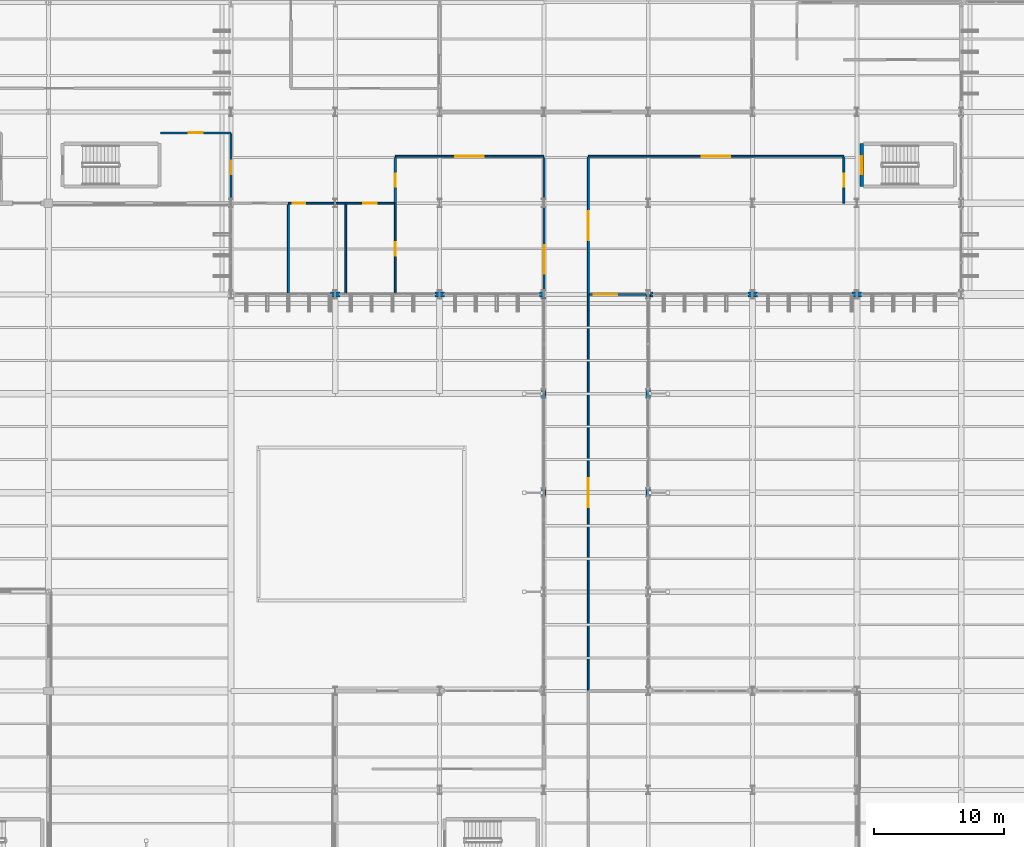
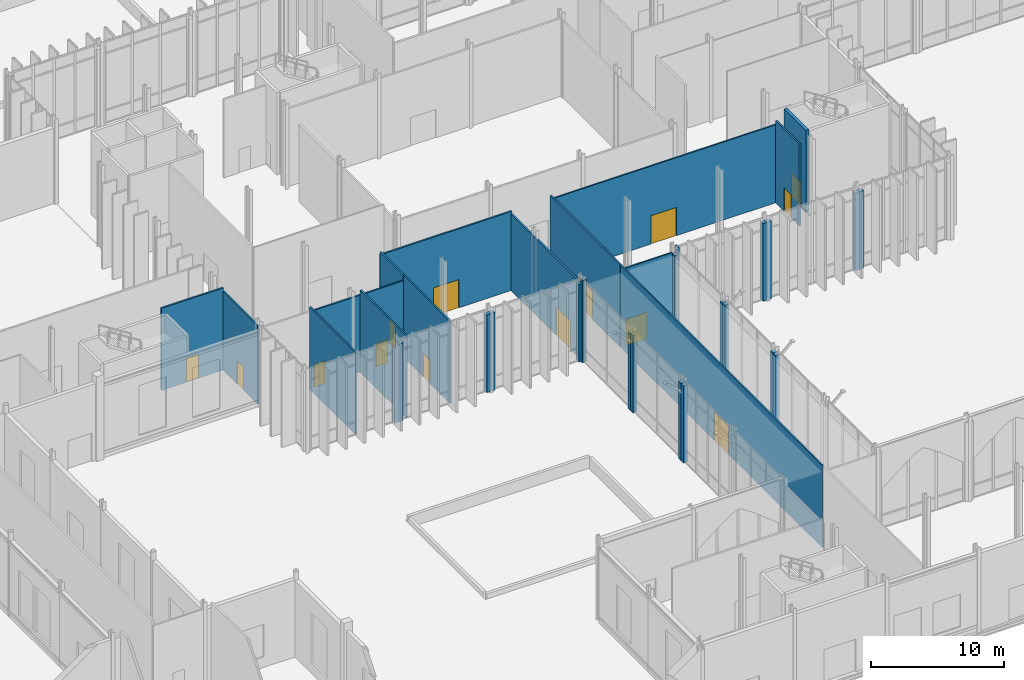
# One storey, part 136 of 176: 36 walls, 14 doors, 14 openings.
"""IFC4 building model written with IfcOpenShell, lengths in metres."""

from ifc_helpers import new_model, si_unit, direction, frame, frame_2d, origin, place, context, subcontext, project, spatial, rectangle, extrude, material, layer, layer_set, type_object, element, fill, save


model = new_model("IFC4")

# Units and contexts
model_context = context("Model", 3, precision=1e-05, world=origin(), true_north=direction((0.0, 1.0)))
body_context = subcontext(model_context, "Body", "Model", "MODEL_VIEW")
ifc_project = project(units=[si_unit("LENGTHUNIT", "METRE"), si_unit("AREAUNIT", "SQUARE_METRE"), si_unit("VOLUMEUNIT", "CUBIC_METRE"), si_unit("PLANEANGLEUNIT", "RADIAN"), si_unit("MASSUNIT", "GRAM", prefix="KILO")], contexts=[model_context])

# Site, building, storey
site_placement = place(None, origin())
site = spatial("IfcSite", under=ifc_project, at=site_placement, CompositionType="ELEMENT")
building_placement = place(site_placement, origin())
building = spatial("IfcBuilding", under=site, at=building_placement, Name="Vekula Escarpment Museum", CompositionType="ELEMENT")
storey_placement = place(building_placement, origin())
storey = spatial("IfcBuildingStorey", under=building, at=storey_placement, Name="L01", CompositionType="ELEMENT", Elevation=0.0)

# Walls
ifc_material_1 = material(Name="Inkisi arkosic sandstone masonry", Category="masonry")
ifc_layer_1 = layer(ifc_material_1, 0.35009765625)
ifc_layer_set_1 = layer_set([ifc_layer_1], Name="Inkisi arkosic sandstone masonry")
wall_type_1 = type_object("IfcWallType", Name="WL-ALM-350", PredefinedType="SOLIDWALL", material=ifc_layer_set_1)
wall_1_placement = place(storey_placement, frame((102.0, 30.0400390625, 0.0), z_axis=(0.0, 0.0, 1.0), x_axis=(0.0, 1.0, 0.0)))
element("IfcWall", 1, at=wall_1_placement, inside=storey, type_object=wall_type_1, Name="Facade Jamb Pier L01-0068B", PredefinedType="SOLIDWALL", context=body_context, shape_type="SweptSolid", body=[
    extrude(rectangle(XDim=0.35986328125, YDim=0.35009765625, at=frame_2d((0.179931640625, 0.0))), origin(), (0.0, 0.0, 1.0), 7.0849609375),
])
for number, where, z_axis, x_axis, name in (
    (2, (102.0, 30.39990234375, 0.0), (0.0, 0.0, 1.0), (0.0, 1.0, 0.0), "Facade Jamb Pier L01-0069A"),
    (3, (102.0, 37.639892578125, 0.0), (0.0, 0.0, 1.0), (0.0, 1.0, 0.0), "Facade Jamb Pier L01-0070B"),
):
    element("IfcWall", number, at=place(storey_placement, frame(where, z_axis=z_axis, x_axis=x_axis)), inside=storey, type_object=wall_type_1, Name=name, PredefinedType="SOLIDWALL", context=body_context, shape_type="SweptSolid", body=[
        extrude(rectangle(XDim=0.360107421875, YDim=0.35009765625, at=frame_2d((0.18017578125, 0.0))), origin(), (0.0, 0.0, 1.0), 7.0849609375),
    ])
for number, where, z_axis, x_axis, name in (
    (4, (102.0, 38.0, 0.0), (0.0, 0.0, 1.0), (0.0, 1.0, 0.0), "Facade Jamb Pier L01-0071A"),
    (5, (102.0, 45.239990234375, 0.0), (0.0, 0.0, 1.0), (0.0, 1.0, 0.0), "Facade Jamb Pier L01-0072B"),
):
    element("IfcWall", number, at=place(storey_placement, frame(where, z_axis=z_axis, x_axis=x_axis)), inside=storey, type_object=wall_type_1, Name=name, PredefinedType="SOLIDWALL", context=body_context, shape_type="SweptSolid", body=[
        extrude(rectangle(XDim=0.360107421875, YDim=0.35009765625, at=frame_2d((0.18017578125, 0.0))), origin(), (0.0, 0.0, 1.0), 7.02490234375),
    ])
wall_2_placement = place(storey_placement, frame((102.178955078125, 45.60009765625, 0.0), z_axis=(0.0, 0.0, 1.0), x_axis=(1.0, 0.0, 0.0)))
element("IfcWall", 6, at=wall_2_placement, inside=storey, type_object=wall_type_1, Name="Facade Jamb Pier L01-0073A", PredefinedType="SOLIDWALL", context=body_context, shape_type="SweptSolid", body=[
    extrude(rectangle(XDim=0.18115234375, YDim=0.35009765625, at=frame_2d((0.090576171875, 0.0))), origin(), (0.0, 0.0, 1.0), 7.5400390625),
])
for number, where, z_axis, x_axis, name in (
    (7, (109.639892578125, 45.60009765625, 0.0), (0.0, 0.0, 1.0), (1.0, 0.0, 0.0), "Facade Jamb Pier L01-0074B"),
    (8, (110.0, 45.60009765625, 0.0), (0.0, 0.0, 1.0), (1.0, 0.0, 0.0), "Facade Jamb Pier L01-0075A"),
    (9, (117.639892578125, 45.60009765625, 0.0), (0.0, 0.0, 1.0), (1.0, 0.0, 0.0), "Facade Jamb Pier L01-0076B"),
    (10, (118.0, 45.60009765625, 0.0), (0.0, 0.0, 1.0), (1.0, 0.0, 0.0), "Facade Jamb Pier L01-0077A"),
    (11, (77.639892578125, 45.60009765625, 0.0), (0.0, 0.0, 1.0), (1.0, 0.0, 0.0), "Facade Jamb Pier L01-0291B"),
    (12, (78.0, 45.60009765625, 0.0), (0.0, 0.0, 1.0), (1.0, 0.0, 0.0), "Facade Jamb Pier L01-0292A"),
    (13, (85.639892578125, 45.60009765625, 0.0), (0.0, 0.0, 1.0), (1.0, 0.0, 0.0), "Facade Jamb Pier L01-0293B"),
    (14, (86.0, 45.60009765625, 0.0), (0.0, 0.0, 1.0), (1.0, 0.0, 0.0), "Facade Jamb Pier L01-0294A"),
    (15, (93.639892578125, 45.60009765625, 0.0), (0.0, 0.0, 1.0), (1.0, 0.0, 0.0), "Facade Jamb Pier L01-0295B"),
):
    element("IfcWall", number, at=place(storey_placement, frame(where, z_axis=z_axis, x_axis=x_axis)), inside=storey, type_object=wall_type_1, Name=name, PredefinedType="SOLIDWALL", context=body_context, shape_type="SweptSolid", body=[
        extrude(rectangle(XDim=0.360107421875, YDim=0.35009765625, at=frame_2d((0.18017578125, 0.0))), origin(), (0.0, 0.0, 1.0), 7.135009765625),
    ])
wall_3_placement = place(storey_placement, frame((94.0, 45.4208984375, 0.0), z_axis=(0.0, 0.0, 1.0), x_axis=(0.0, -1.0, 0.0)))
element("IfcWall", 16, at=wall_3_placement, inside=storey, type_object=wall_type_1, Name="Facade Jamb Pier L01-0296A", PredefinedType="SOLIDWALL", context=body_context, shape_type="SweptSolid", body=[
    extrude(rectangle(XDim=0.180908203125, YDim=0.35009765625, at=frame_2d((0.09033203125, 0.0))), origin(), (0.0, 0.0, 1.0), 7.5400390625),
])
wall_4_placement = place(storey_placement, frame((94.0, 38.360107421875, 0.0), z_axis=(0.0, 0.0, 1.0), x_axis=(0.0, -1.0, 0.0)))
element("IfcWall", 17, at=wall_4_placement, inside=storey, type_object=wall_type_1, Name="Facade Jamb Pier L01-0297B", PredefinedType="SOLIDWALL", context=body_context, shape_type="SweptSolid", body=[
    extrude(rectangle(XDim=0.360107421875, YDim=0.35009765625, at=frame_2d((0.18017578125, 0.0))), origin(), (0.0, 0.0, 1.0), 7.02490234375),
])
for number, where, z_axis, x_axis, name in (
    (18, (94.0, 38.0, 0.0), (0.0, 0.0, 1.0), (0.0, -1.0, 0.0), "Facade Jamb Pier L01-0298A"),
    (19, (94.0, 30.760009765625, 0.0), (0.0, 0.0, 1.0), (0.0, -1.0, 0.0), "Facade Jamb Pier L01-0299B"),
):
    element("IfcWall", number, at=place(storey_placement, frame(where, z_axis=z_axis, x_axis=x_axis)), inside=storey, type_object=wall_type_1, Name=name, PredefinedType="SOLIDWALL", context=body_context, shape_type="SweptSolid", body=[
        extrude(rectangle(XDim=0.360107421875, YDim=0.35009765625, at=frame_2d((0.18017578125, 0.0))), origin(), (0.0, 0.0, 1.0), 7.0849609375),
    ])
wall_5_placement = place(storey_placement, frame((94.0, 30.39990234375, 0.0), z_axis=(0.0, 0.0, 1.0), x_axis=(0.0, -1.0, 0.0)))
element("IfcWall", 20, at=wall_5_placement, inside=storey, type_object=wall_type_1, Name="Facade Jamb Pier L01-0300A", PredefinedType="SOLIDWALL", context=body_context, shape_type="SweptSolid", body=[
    extrude(rectangle(XDim=0.35986328125, YDim=0.35009765625, at=frame_2d((0.179931640625, 0.0))), origin(), (0.0, 0.0, 1.0), 7.0849609375),
])

# Wall, opening, door
ifc_material_2 = material(Name="Concrete C35/45", Category="concrete")
ifc_layer_2 = layer(ifc_material_2, 0.25)
ifc_layer_set_2 = layer_set([ifc_layer_2], Name="Concrete C35/45")
wall_type_2 = type_object("IfcWallType", Name="WL-CORE-250", PredefinedType="SHEAR", material=ifc_layer_set_2)
wall_6_placement = place(storey_placement, frame((118.375, 53.875, 0.0), z_axis=(0.0, 0.0, 1.0), x_axis=(0.0, 1.0, 0.0)))
wall_6 = element("IfcWall", 21, at=wall_6_placement, inside=storey, type_object=wall_type_2, Name="Stair Core Wall ST-08 L01 W", PredefinedType="SHEAR", context=body_context, shape_type="SweptSolid", body=[
    extrude(rectangle(XDim=3.2900390625, YDim=0.25, at=frame_2d((1.64501953125, 0.0))), origin(), (0.0, 0.0, 1.0), 7.5400390625),
])
opening_1_placement = place(wall_6_placement, frame((0.945068359375, 0.0, 0.0)))
opening_1 = element("IfcOpeningElement", 22, at=opening_1_placement, cuts=wall_6, Name="Opening DR-FD60", PredefinedType="OPENING", context=body_context, shape_type="SweptSolid", body=[
    extrude(rectangle(XDim=1.39990234375, YDim=2.199951171875, at=frame_2d((0.699951171875, 1.10009765625))), frame((0.0, 0.135009765625, 0.0), z_axis=(0.0, -1.0, 0.0), x_axis=(1.0, 0.0, 0.0)), (0.0, 0.0, 1.0), 0.27001953125),
])
ifc_material_3 = material(Name="Fire-rated steel stair door", Category="steel")
door_type_1 = type_object("IfcDoorType", Name="DR-STAIR-1400x2200", OperationType="NOTDEFINED", PredefinedType="DOOR", material=ifc_material_3)
door_1_placement = place(opening_1_placement, origin())
door_1 = element("IfcDoor", 23, at=door_1_placement, inside=storey, type_object=door_type_1, Name="Protected Exit Stair Door ST-08 L01", OperationType="SINGLE_SWING_RIGHT", OverallHeight=2.199951171875, OverallWidth=1.39990234375, PredefinedType="DOOR", context=body_context, shape_type="SweptSolid", body=[
    extrude(rectangle(XDim=1.39990234375, YDim=2.199951171875, at=frame_2d((0.699951171875, 1.10009765625))), frame((0.0, 0.02490234375, 0.0), z_axis=(0.0, -1.0, 0.0), x_axis=(1.0, 0.0, 0.0)), (0.0, 0.0, 1.0), 0.050048828125),
])
fill(opening_1, door_1)

ifc_material_4 = material(Name="Lightweight studio partition", Category="gypsum")
ifc_layer_3 = layer(ifc_material_4, 0.1201171875)
ifc_layer_set_3 = layer_set([ifc_layer_3], Name="Lightweight studio partition")
wall_type_3 = type_object("IfcWallType", Name="WL-PART-120", PredefinedType="PARTITIONING", material=ifc_layer_set_3)
wall_7_placement = place(storey_placement, frame((70.0, 52.75390625, 0.0), z_axis=(0.0, 0.0, 1.0), x_axis=(0.0, 1.0, 0.0)))
wall_7 = element("IfcWall", 24, at=wall_7_placement, inside=storey, type_object=wall_type_3, Name="Interior Partition WL-INT-L01-0030", PredefinedType="PARTITIONING", context=body_context, shape_type="SweptSolid", body=[
    extrude(rectangle(XDim=5.1669921875, YDim=0.1201171875, at=frame_2d((2.58349609375, 0.0))), origin(), (0.0, 0.0, 1.0), 7.235107421875),
])
opening_2_placement = place(wall_7_placement, frame((2.08349609375, 0.0, 0.0)))
opening_2 = element("IfcOpeningElement", 25, at=opening_2_placement, cuts=wall_7, Name="Opening DR-OF10", PredefinedType="OPENING", context=body_context, shape_type="SweptSolid", body=[
    extrude(rectangle(XDim=1.0, YDim=2.14990234375, at=frame_2d((0.5, 1.074951171875))), frame((0.0, 0.070068359375, 0.0), z_axis=(0.0, -1.0, 0.0), x_axis=(1.0, 0.0, 0.0)), (0.0, 0.0, 1.0), 0.14013671875),
])
ifc_material_5 = material(Name="Solid core timber study door", Category="wood")
door_type_2 = type_object("IfcDoorType", Name="DR-OFF-1000x2150", OperationType="NOTDEFINED", PredefinedType="DOOR", material=ifc_material_5)
door_2_placement = place(opening_2_placement, origin())
door_2 = element("IfcDoor", 26, at=door_2_placement, inside=storey, type_object=door_type_2, Name="Interior Door L01-028", OperationType="SINGLE_SWING_LEFT", OverallHeight=2.14990234375, OverallWidth=1.0, PredefinedType="DOOR", context=body_context, shape_type="SweptSolid", body=[
    extrude(rectangle(XDim=1.0, YDim=2.14990234375, at=frame_2d((0.5, 1.074951171875))), frame((0.0, 0.02490234375, 0.0), z_axis=(0.0, -1.0, 0.0), x_axis=(1.0, 0.0, 0.0)), (0.0, 0.0, 1.0), 0.050048828125),
])
fill(opening_2, door_2)

wall_8_placement = place(storey_placement, frame((97.39990234375, 56.199951171875, 0.0), z_axis=(0.0, 0.0, 1.0), x_axis=(1.0, 0.0, 0.0)))
wall_8 = element("IfcWall", 27, at=wall_8_placement, inside=storey, type_object=wall_type_3, Name="Interior Partition WL-INT-L01-0039", PredefinedType="PARTITIONING", context=body_context, shape_type="SweptSolid", body=[
    extrude(rectangle(XDim=19.60009765625, YDim=0.1201171875, at=frame_2d((9.800048828125, 0.0))), origin(), (0.0, 0.0, 1.0), 7.1650390625),
])
opening_3_placement = place(wall_8_placement, frame((8.699951171875, 0.0, 0.0)))
opening_3 = element("IfcOpeningElement", 28, at=opening_3_placement, cuts=wall_8, Name="Opening DR-GL22", PredefinedType="OPENING", context=body_context, shape_type="SweptSolid", body=[
    extrude(rectangle(XDim=2.199951171875, YDim=2.60009765625, at=frame_2d((1.10009765625, 1.300048828125))), frame((0.0, 0.070068359375, 0.0), z_axis=(0.0, -1.0, 0.0), x_axis=(1.0, 0.0, 0.0)), (0.0, 0.0, 1.0), 0.14013671875),
])
ifc_material_6 = material(Name="Double acoustic timber gallery door", Category="wood")
door_type_3 = type_object("IfcDoorType", Name="DR-GAL-2200x2600", OperationType="NOTDEFINED", PredefinedType="DOOR", material=ifc_material_6)
door_3_placement = place(opening_3_placement, origin())
door_3 = element("IfcDoor", 29, at=door_3_placement, inside=storey, type_object=door_type_3, Name="Interior Door L01-036", OperationType="SINGLE_SWING_LEFT", OverallHeight=2.60009765625, OverallWidth=2.199951171875, PredefinedType="DOOR", context=body_context, shape_type="SweptSolid", body=[
    extrude(rectangle(XDim=2.199951171875, YDim=2.60009765625, at=frame_2d((1.10009765625, 1.300048828125))), frame((0.0, 0.02490234375, 0.0), z_axis=(0.0, -1.0, 0.0), x_axis=(1.0, 0.0, 0.0)), (0.0, 0.0, 1.0), 0.050048828125),
])
fill(opening_3, door_3)

wall_9_placement = place(storey_placement, frame((97.47900390625, 45.60009765625, 0.0), z_axis=(0.0, 0.0, 1.0), x_axis=(1.0, 0.0, 0.0)))
wall_9 = element("IfcWall", 30, at=wall_9_placement, inside=storey, type_object=wall_type_3, Name="Interior Partition WL-INT-L01-0054", PredefinedType="PARTITIONING", context=body_context, shape_type="SweptSolid", body=[
    extrude(rectangle(XDim=4.342041015625, YDim=0.1201171875, at=frame_2d((2.1708984375, 0.0))), origin(), (0.0, 0.0, 1.0), 7.135009765625),
])
opening_4_placement = place(wall_9_placement, frame((0.35009765625, 0.0, 0.0)))
opening_4 = element("IfcOpeningElement", 31, at=opening_4_placement, cuts=wall_9, Name="Opening DR-GL18", PredefinedType="OPENING", context=body_context, shape_type="SweptSolid", body=[
    extrude(rectangle(XDim=1.800048828125, YDim=2.39990234375, at=frame_2d((0.89990234375, 1.199951171875))), frame((0.0, 0.070068359375, 0.0), z_axis=(0.0, -1.0, 0.0), x_axis=(1.0, 0.0, 0.0)), (0.0, 0.0, 1.0), 0.14013671875),
])
ifc_material_7 = material(Name="Double glazed gallery portal door", Category="steel")
door_type_4 = type_object("IfcDoorType", Name="DR-GAL-1800x2400", OperationType="NOTDEFINED", PredefinedType="DOOR", material=ifc_material_7)
door_4_placement = place(opening_4_placement, origin())
door_4 = element("IfcDoor", 32, at=door_4_placement, inside=storey, type_object=door_type_4, Name="Interior Door L01-051", OperationType="SINGLE_SWING_RIGHT", OverallHeight=2.39990234375, OverallWidth=1.800048828125, PredefinedType="DOOR", context=body_context, shape_type="SweptSolid", body=[
    extrude(rectangle(XDim=1.800048828125, YDim=2.39990234375, at=frame_2d((0.89990234375, 1.199951171875))), frame((0.0, 0.02490234375, 0.0), z_axis=(0.0, -1.0, 0.0), x_axis=(1.0, 0.0, 0.0)), (0.0, 0.0, 1.0), 0.050048828125),
])
fill(opening_4, door_4)

wall_10_placement = place(storey_placement, frame((97.39990234375, 15.199951171875, 0.0), z_axis=(0.0, 0.0, 1.0), x_axis=(0.0, 1.0, 0.0)))
wall_10 = element("IfcWall", 33, at=wall_10_placement, inside=storey, type_object=wall_type_3, Name="Interior Partition WL-INT-L01-0084", PredefinedType="PARTITIONING", context=body_context, shape_type="SweptSolid", body=[
    extrude(rectangle(XDim=30.400146484375, YDim=0.1201171875, at=frame_2d((15.2001953125, 0.0))), origin(), (0.0, 0.0, 1.0), 7.5400390625),
])
opening_5_placement = place(wall_10_placement, frame((14.10009765625, 0.0, 0.0)))
opening_5 = element("IfcOpeningElement", 34, at=opening_5_placement, cuts=wall_10, Name="Opening DR-GL22", PredefinedType="OPENING", context=body_context, shape_type="SweptSolid", body=[
    extrude(rectangle(XDim=2.199951171875, YDim=2.60009765625, at=frame_2d((1.10009765625, 1.300048828125))), frame((0.0, 0.070068359375, 0.0), z_axis=(0.0, -1.0, 0.0), x_axis=(1.0, 0.0, 0.0)), (0.0, 0.0, 1.0), 0.14013671875),
])
door_5_placement = place(opening_5_placement, origin())
door_5 = element("IfcDoor", 35, at=door_5_placement, inside=storey, type_object=door_type_3, Name="Interior Door L01-075", OperationType="SINGLE_SWING_RIGHT", OverallHeight=2.60009765625, OverallWidth=2.199951171875, PredefinedType="DOOR", context=body_context, shape_type="SweptSolid", body=[
    extrude(rectangle(XDim=2.199951171875, YDim=2.60009765625, at=frame_2d((1.10009765625, 1.300048828125))), frame((0.0, 0.02490234375, 0.0), z_axis=(0.0, -1.0, 0.0), x_axis=(1.0, 0.0, 0.0)), (0.0, 0.0, 1.0), 0.050048828125),
])
fill(opening_5, door_5)

ifc_material_8 = material(Name="Moisture-resistant wet-room partition", Category="gypsum")
ifc_layer_4 = layer(ifc_material_8, 0.139892578125)
ifc_layer_set_4 = layer_set([ifc_layer_4], Name="Moisture-resistant wet-room partition")
wall_type_4 = type_object("IfcWallType", Name="WL-PART-140", PredefinedType="PARTITIONING", material=ifc_layer_set_4)
wall_11_placement = place(storey_placement, frame((82.60009765625, 45.60009765625, 0.0), z_axis=(0.0, 0.0, 1.0), x_axis=(0.0, 1.0, 0.0)))
wall_11 = element("IfcWall", 36, at=wall_11_placement, inside=storey, type_object=wall_type_4, Name="Interior Partition WL-INT-L01-0053", PredefinedType="PARTITIONING", context=body_context, shape_type="SweptSolid", body=[
    extrude(rectangle(XDim=7.0, YDim=0.139892578125, at=frame_2d((3.5, 0.0))), origin(), (0.0, 0.0, 1.0), 7.5400390625),
])
opening_6_placement = place(wall_11_placement, frame((2.97509765625, 0.0, 0.0)))
opening_6 = element("IfcOpeningElement", 37, at=opening_6_placement, cuts=wall_11, Name="Opening DR-PM10", PredefinedType="OPENING", context=body_context, shape_type="SweptSolid", body=[
    extrude(rectangle(XDim=1.050048828125, YDim=2.14990234375, at=frame_2d((0.52490234375, 1.074951171875))), frame((0.0, 0.079833984375, 0.0), z_axis=(0.0, -1.0, 0.0), x_axis=(1.0, 0.0, 0.0)), (0.0, 0.0, 1.0), 0.159912109375),
])
ifc_material_9 = material(Name="Accessible PMR washroom door", Category="steel")
door_type_5 = type_object("IfcDoorType", Name="DR-PMR-1050x2150", OperationType="NOTDEFINED", PredefinedType="DOOR", material=ifc_material_9)
door_6_placement = place(opening_6_placement, origin())
door_6 = element("IfcDoor", 38, at=door_6_placement, inside=storey, type_object=door_type_5, Name="Interior Door L01-050", OperationType="SINGLE_SWING_LEFT", OverallHeight=2.14990234375, OverallWidth=1.050048828125, PredefinedType="DOOR", context=body_context, shape_type="SweptSolid", body=[
    extrude(rectangle(XDim=1.050048828125, YDim=2.14990234375, at=frame_2d((0.52490234375, 1.074951171875))), frame((0.0, 0.02490234375, 0.0), z_axis=(0.0, -1.0, 0.0), x_axis=(1.0, 0.0, 0.0)), (0.0, 0.0, 1.0), 0.050048828125),
])
fill(opening_6, door_6)

wall_12_placement = place(storey_placement, frame((74.39990234375, 52.60009765625, 0.0), z_axis=(0.0, 0.0, 1.0), x_axis=(1.0, 0.0, 0.0)))
wall_12 = element("IfcWall", 39, at=wall_12_placement, inside=storey, type_object=wall_type_4, Name="Interior Partition WL-INT-L01-0059", PredefinedType="PARTITIONING", context=body_context, shape_type="SweptSolid", body=[
    extrude(rectangle(XDim=4.400146484375, YDim=0.139892578125, at=frame_2d((2.2001953125, 0.0))), origin(), (0.0, 0.0, 1.0), 7.074951171875),
])
opening_7_placement = place(wall_12_placement, frame((0.35009765625, 0.0, 0.0)))
opening_7 = element("IfcOpeningElement", 40, at=opening_7_placement, cuts=wall_12, Name="Opening DR-WC09", PredefinedType="OPENING", context=body_context, shape_type="SweptSolid", body=[
    extrude(rectangle(XDim=0.949951171875, YDim=2.10009765625, at=frame_2d((0.47509765625, 1.050048828125))), frame((0.0, 0.079833984375, 0.0), z_axis=(0.0, -1.0, 0.0), x_axis=(1.0, 0.0, 0.0)), (0.0, 0.0, 1.0), 0.159912109375),
])
ifc_material_10 = material(Name="Laminate washroom door", Category="wood")
door_type_6 = type_object("IfcDoorType", Name="DR-WC-0950x2100", OperationType="NOTDEFINED", PredefinedType="DOOR", material=ifc_material_10)
door_7_placement = place(opening_7_placement, origin())
door_7 = element("IfcDoor", 41, at=door_7_placement, inside=storey, type_object=door_type_6, Name="Interior Door L01-056", OperationType="SINGLE_SWING_LEFT", OverallHeight=2.10009765625, OverallWidth=0.949951171875, PredefinedType="DOOR", context=body_context, shape_type="SweptSolid", body=[
    extrude(rectangle(XDim=0.949951171875, YDim=2.10009765625, at=frame_2d((0.47509765625, 1.050048828125))), frame((0.0, 0.02490234375, 0.0), z_axis=(0.0, -1.0, 0.0), x_axis=(1.0, 0.0, 0.0)), (0.0, 0.0, 1.0), 0.050048828125),
])
fill(opening_7, door_7)

wall_13_placement = place(storey_placement, frame((78.800048828125, 52.60009765625, 0.0), z_axis=(0.0, 0.0, 1.0), x_axis=(1.0, 0.0, 0.0)))
wall_13 = element("IfcWall", 42, at=wall_13_placement, inside=storey, type_object=wall_type_4, Name="Interior Partition WL-INT-L01-0060", PredefinedType="PARTITIONING", context=body_context, shape_type="SweptSolid", body=[
    extrude(rectangle(XDim=3.716064453125, YDim=0.139892578125, at=frame_2d((1.85791015625, 0.0))), origin(), (0.0, 0.0, 1.0), 7.074951171875),
])
opening_8_placement = place(wall_13_placement, frame((1.3330078125, 0.0, 0.0)))
opening_8 = element("IfcOpeningElement", 43, at=opening_8_placement, cuts=wall_13, Name="Opening DR-PM10", PredefinedType="OPENING", context=body_context, shape_type="SweptSolid", body=[
    extrude(rectangle(XDim=1.050048828125, YDim=2.14990234375, at=frame_2d((0.52490234375, 1.074951171875))), frame((0.0, 0.079833984375, 0.0), z_axis=(0.0, -1.0, 0.0), x_axis=(1.0, 0.0, 0.0)), (0.0, 0.0, 1.0), 0.159912109375),
])
door_8_placement = place(opening_8_placement, origin())
door_8 = element("IfcDoor", 44, at=door_8_placement, inside=storey, type_object=door_type_5, Name="Interior Door L01-057", OperationType="SINGLE_SWING_RIGHT", OverallHeight=2.14990234375, OverallWidth=1.050048828125, PredefinedType="DOOR", context=body_context, shape_type="SweptSolid", body=[
    extrude(rectangle(XDim=1.050048828125, YDim=2.14990234375, at=frame_2d((0.52490234375, 1.074951171875))), frame((0.0, 0.02490234375, 0.0), z_axis=(0.0, -1.0, 0.0), x_axis=(1.0, 0.0, 0.0)), (0.0, 0.0, 1.0), 0.050048828125),
])
fill(opening_8, door_8)

# Walls
for number, where, z_axis, x_axis, name in (
    (45, (74.39990234375, 45.60009765625, 0.0), (0.0, 0.0, 1.0), (0.0, 1.0, 0.0), "Interior Partition WL-INT-L01-0061"),
    (46, (78.800048828125, 45.60009765625, 0.0), (0.0, 0.0, 1.0), (0.0, 1.0, 0.0), "Interior Partition WL-INT-L01-0062"),
):
    element("IfcWall", number, at=place(storey_placement, frame(where, z_axis=z_axis, x_axis=x_axis)), inside=storey, type_object=wall_type_4, Name=name, PredefinedType="PARTITIONING", context=body_context, shape_type="SweptSolid", body=[
        extrude(rectangle(XDim=6.92578125, YDim=0.139892578125, at=frame_2d((3.462890625, 0.0))), origin(), (0.0, 0.0, 1.0), 7.5400390625),
    ])

# Wall, opening, door
ifc_material_11 = material(Name="Gypsum board dry-lined partition", Category="gypsum")
ifc_layer_5 = layer(ifc_material_11, 0.14990234375)
ifc_layer_set_5 = layer_set([ifc_layer_5], Name="Gypsum board dry-lined partition")
wall_type_5 = type_object("IfcWallType", Name="WL-PART-150", PredefinedType="PARTITIONING", material=ifc_layer_set_5)
wall_14_placement = place(storey_placement, frame((64.60009765625, 58.0, 0.0), z_axis=(0.0, 0.0, 1.0), x_axis=(1.0, 0.0, 0.0)))
wall_14 = element("IfcWall", 47, at=wall_14_placement, inside=storey, type_object=wall_type_5, Name="Interior Partition WL-INT-L01-0020", PredefinedType="PARTITIONING", context=body_context, shape_type="SweptSolid", body=[
    extrude(rectangle(XDim=5.39990234375, YDim=0.14990234375, at=frame_2d((2.699951171875, 0.0))), origin(), (0.0, 0.0, 1.0), 7.5400390625),
])
opening_9_placement = place(wall_14_placement, frame((2.175048828125, 0.0, 0.0)))
opening_9 = element("IfcOpeningElement", 48, at=opening_9_placement, cuts=wall_14, Name="Opening DR-CR10", PredefinedType="OPENING", context=body_context, shape_type="SweptSolid", body=[
    extrude(rectangle(XDim=1.050048828125, YDim=2.199951171875, at=frame_2d((0.52490234375, 1.10009765625))), frame((0.0, 0.0849609375, 0.0), z_axis=(0.0, -1.0, 0.0), x_axis=(1.0, 0.0, 0.0)), (0.0, 0.0, 1.0), 0.169921875),
])
ifc_material_12 = material(Name="Solid hardwood curatorial door", Category="wood")
door_type_7 = type_object("IfcDoorType", Name="DR-CUR-1050x2200", OperationType="NOTDEFINED", PredefinedType="DOOR", material=ifc_material_12)
door_9_placement = place(opening_9_placement, origin())
door_9 = element("IfcDoor", 49, at=door_9_placement, inside=storey, type_object=door_type_7, Name="Interior Door L01-018", OperationType="SINGLE_SWING_LEFT", OverallHeight=2.199951171875, OverallWidth=1.050048828125, PredefinedType="DOOR", context=body_context, shape_type="SweptSolid", body=[
    extrude(rectangle(XDim=1.050048828125, YDim=2.199951171875, at=frame_2d((0.52490234375, 1.10009765625))), frame((0.0, 0.02490234375, 0.0), z_axis=(0.0, -1.0, 0.0), x_axis=(1.0, 0.0, 0.0)), (0.0, 0.0, 1.0), 0.050048828125),
])
fill(opening_9, door_9)

wall_15_placement = place(storey_placement, frame((82.60009765625, 56.199951171875, 0.0), z_axis=(0.0, 0.0, 1.0), x_axis=(1.0, 0.0, 0.0)))
wall_15 = element("IfcWall", 50, at=wall_15_placement, inside=storey, type_object=wall_type_5, Name="Interior Partition WL-INT-L01-0038", PredefinedType="PARTITIONING", context=body_context, shape_type="SweptSolid", body=[
    extrude(rectangle(XDim=11.39990234375, YDim=0.14990234375, at=frame_2d((5.699951171875, 0.0))), origin(), (0.0, 0.0, 1.0), 7.2548828125),
])
opening_10_placement = place(wall_15_placement, frame((4.60009765625, 0.0, 0.0)))
opening_10 = element("IfcOpeningElement", 51, at=opening_10_placement, cuts=wall_15, Name="Opening DR-GL22", PredefinedType="OPENING", context=body_context, shape_type="SweptSolid", body=[
    extrude(rectangle(XDim=2.199951171875, YDim=2.60009765625, at=frame_2d((1.10009765625, 1.300048828125))), frame((0.0, 0.0849609375, 0.0), z_axis=(0.0, -1.0, 0.0), x_axis=(1.0, 0.0, 0.0)), (0.0, 0.0, 1.0), 0.169921875),
])
door_10_placement = place(opening_10_placement, origin())
door_10 = element("IfcDoor", 52, at=door_10_placement, inside=storey, type_object=door_type_3, Name="Interior Door L01-035", OperationType="SINGLE_SWING_RIGHT", OverallHeight=2.60009765625, OverallWidth=2.199951171875, PredefinedType="DOOR", context=body_context, shape_type="SweptSolid", body=[
    extrude(rectangle(XDim=2.199951171875, YDim=2.60009765625, at=frame_2d((1.10009765625, 1.300048828125))), frame((0.0, 0.02490234375, 0.0), z_axis=(0.0, -1.0, 0.0), x_axis=(1.0, 0.0, 0.0)), (0.0, 0.0, 1.0), 0.050048828125),
])
fill(opening_10, door_10)

wall_16_placement = place(storey_placement, frame((97.39990234375, 45.60009765625, 0.0), z_axis=(0.0, 0.0, 1.0), x_axis=(0.0, 1.0, 0.0)))
wall_16 = element("IfcWall", 53, at=wall_16_placement, inside=storey, type_object=wall_type_5, Name="Interior Partition WL-INT-L01-0041", PredefinedType="PARTITIONING", context=body_context, shape_type="SweptSolid", body=[
    extrude(rectangle(XDim=10.535888671875, YDim=0.14990234375, at=frame_2d((5.26806640625, 0.0))), origin(), (0.0, 0.0, 1.0), 7.5400390625),
])
opening_11_placement = place(wall_16_placement, frame((4.16796875, 0.0, 0.0)))
opening_11 = element("IfcOpeningElement", 54, at=opening_11_placement, cuts=wall_16, Name="Opening DR-GL22", PredefinedType="OPENING", context=body_context, shape_type="SweptSolid", body=[
    extrude(rectangle(XDim=2.199951171875, YDim=2.60009765625, at=frame_2d((1.10009765625, 1.300048828125))), frame((0.0, 0.0849609375, 0.0), z_axis=(0.0, -1.0, 0.0), x_axis=(1.0, 0.0, 0.0)), (0.0, 0.0, 1.0), 0.169921875),
])
door_11_placement = place(opening_11_placement, origin())
door_11 = element("IfcDoor", 55, at=door_11_placement, inside=storey, type_object=door_type_3, Name="Interior Door L01-038", OperationType="SINGLE_SWING_LEFT", OverallHeight=2.60009765625, OverallWidth=2.199951171875, PredefinedType="DOOR", context=body_context, shape_type="SweptSolid", body=[
    extrude(rectangle(XDim=2.199951171875, YDim=2.60009765625, at=frame_2d((1.10009765625, 1.300048828125))), frame((0.0, 0.02490234375, 0.0), z_axis=(0.0, -1.0, 0.0), x_axis=(1.0, 0.0, 0.0)), (0.0, 0.0, 1.0), 0.050048828125),
])
fill(opening_11, door_11)

wall_17_placement = place(storey_placement, frame((117.0, 52.60009765625, 0.0), z_axis=(0.0, 0.0, 1.0), x_axis=(0.0, 1.0, 0.0)))
wall_17 = element("IfcWall", 56, at=wall_17_placement, inside=storey, type_object=wall_type_5, Name="Interior Partition WL-INT-L01-0050", PredefinedType="PARTITIONING", context=body_context, shape_type="SweptSolid", body=[
    extrude(rectangle(XDim=3.535888671875, YDim=0.14990234375, at=frame_2d((1.76806640625, 0.0))), origin(), (0.0, 0.0, 1.0), 7.5400390625),
])
opening_12_placement = place(wall_17_placement, frame((1.26806640625, 0.0, 0.0)))
opening_12 = element("IfcOpeningElement", 57, at=opening_12_placement, cuts=wall_17, Name="Opening DR-OF10", PredefinedType="OPENING", context=body_context, shape_type="SweptSolid", body=[
    extrude(rectangle(XDim=1.0, YDim=2.14990234375, at=frame_2d((0.5, 1.074951171875))), frame((0.0, 0.0849609375, 0.0), z_axis=(0.0, -1.0, 0.0), x_axis=(1.0, 0.0, 0.0)), (0.0, 0.0, 1.0), 0.169921875),
])
door_12_placement = place(opening_12_placement, origin())
door_12 = element("IfcDoor", 58, at=door_12_placement, inside=storey, type_object=door_type_2, Name="Interior Door L01-047", OperationType="SINGLE_SWING_RIGHT", OverallHeight=2.14990234375, OverallWidth=1.0, PredefinedType="DOOR", context=body_context, shape_type="SweptSolid", body=[
    extrude(rectangle(XDim=1.0, YDim=2.14990234375, at=frame_2d((0.5, 1.074951171875))), frame((0.0, 0.02490234375, 0.0), z_axis=(0.0, -1.0, 0.0), x_axis=(1.0, 0.0, 0.0)), (0.0, 0.0, 1.0), 0.050048828125),
])
fill(opening_12, door_12)

ifc_material_13 = material(Name="Gypsum board gallery partition", Category="gypsum")
ifc_layer_6 = layer(ifc_material_13, 0.159912109375)
ifc_layer_set_6 = layer_set([ifc_layer_6], Name="Gypsum board gallery partition")
wall_type_6 = type_object("IfcWallType", Name="WL-PART-160", PredefinedType="PARTITIONING", material=ifc_layer_set_6)
wall_18_placement = place(storey_placement, frame((94.0, 45.779052734375, 0.0), z_axis=(0.0, 0.0, 1.0), x_axis=(0.0, 1.0, 0.0)))
wall_18 = element("IfcWall", 59, at=wall_18_placement, inside=storey, type_object=wall_type_6, Name="Interior Partition WL-INT-L01-0040", PredefinedType="PARTITIONING", context=body_context, shape_type="SweptSolid", body=[
    extrude(rectangle(XDim=10.342041015625, YDim=0.159912109375, at=frame_2d((5.1708984375, 0.0))), origin(), (0.0, 0.0, 1.0), 7.02490234375),
])
opening_13_placement = place(wall_18_placement, frame((1.4130859375, 0.0, 0.0)))
opening_13 = element("IfcOpeningElement", 60, at=opening_13_placement, cuts=wall_18, Name="Opening DR-GL22", PredefinedType="OPENING", context=body_context, shape_type="SweptSolid", body=[
    extrude(rectangle(XDim=2.199951171875, YDim=2.60009765625, at=frame_2d((1.10009765625, 1.300048828125))), frame((0.0, 0.08984375, 0.0), z_axis=(0.0, -1.0, 0.0), x_axis=(1.0, 0.0, 0.0)), (0.0, 0.0, 1.0), 0.179931640625),
])
door_13_placement = place(opening_13_placement, origin())
door_13 = element("IfcDoor", 61, at=door_13_placement, inside=storey, type_object=door_type_3, Name="Interior Door L01-037", OperationType="SINGLE_SWING_RIGHT", OverallHeight=2.60009765625, OverallWidth=2.199951171875, PredefinedType="DOOR", context=body_context, shape_type="SweptSolid", body=[
    extrude(rectangle(XDim=2.199951171875, YDim=2.60009765625, at=frame_2d((1.10009765625, 1.300048828125))), frame((0.0, 0.02490234375, 0.0), z_axis=(0.0, -1.0, 0.0), x_axis=(1.0, 0.0, 0.0)), (0.0, 0.0, 1.0), 0.050048828125),
])
fill(opening_13, door_13)

wall_19_placement = place(storey_placement, frame((82.60009765625, 52.60009765625, 0.0), z_axis=(0.0, 0.0, 1.0), x_axis=(0.0, 1.0, 0.0)))
wall_19 = element("IfcWall", 62, at=wall_19_placement, inside=storey, type_object=wall_type_6, Name="Interior Partition WL-INT-L01-0052", PredefinedType="PARTITIONING", context=body_context, shape_type="SweptSolid", body=[
    extrude(rectangle(XDim=3.52099609375, YDim=0.159912109375, at=frame_2d((1.760498046875, 0.0))), origin(), (0.0, 0.0, 1.0), 7.5400390625),
])
opening_14_placement = place(wall_19_placement, frame((1.260498046875, 0.0, 0.0)))
opening_14 = element("IfcOpeningElement", 63, at=opening_14_placement, cuts=wall_19, Name="Opening DR-OF10", PredefinedType="OPENING", context=body_context, shape_type="SweptSolid", body=[
    extrude(rectangle(XDim=1.0, YDim=2.14990234375, at=frame_2d((0.5, 1.074951171875))), frame((0.0, 0.08984375, 0.0), z_axis=(0.0, -1.0, 0.0), x_axis=(1.0, 0.0, 0.0)), (0.0, 0.0, 1.0), 0.179931640625),
])
door_14_placement = place(opening_14_placement, origin())
door_14 = element("IfcDoor", 64, at=door_14_placement, inside=storey, type_object=door_type_2, Name="Interior Door L01-049", OperationType="SINGLE_SWING_RIGHT", OverallHeight=2.14990234375, OverallWidth=1.0, PredefinedType="DOOR", context=body_context, shape_type="SweptSolid", body=[
    extrude(rectangle(XDim=1.0, YDim=2.14990234375, at=frame_2d((0.5, 1.074951171875))), frame((0.0, 0.02490234375, 0.0), z_axis=(0.0, -1.0, 0.0), x_axis=(1.0, 0.0, 0.0)), (0.0, 0.0, 1.0), 0.050048828125),
])
fill(opening_14, door_14)

save(model, "model.ifc")
